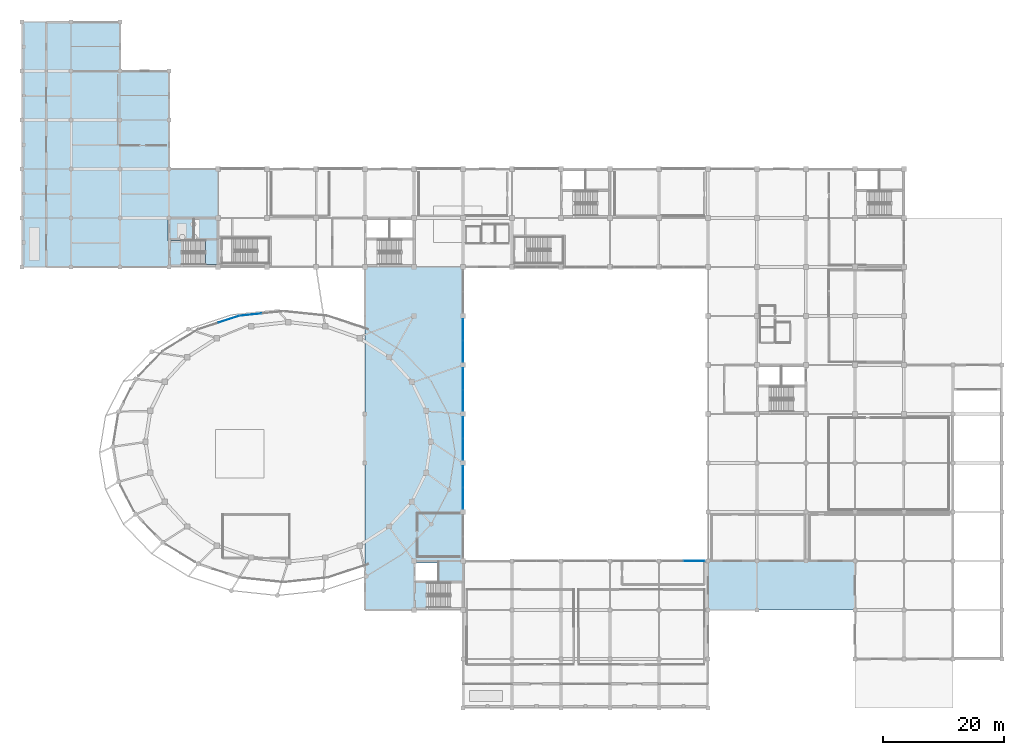
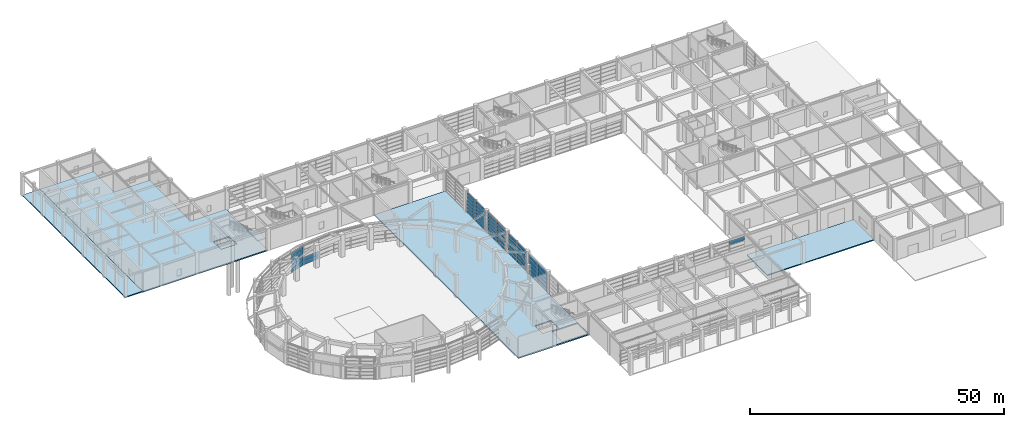
# One storey, part 31 of 52: 54 plates, 6 slabs, 8 elements without a shape of their own.
"""IFC4 building model written with IfcOpenShell, lengths in metres."""

from ifc_helpers import new_model, si_unit, direction, frame, origin, origin_2d, place, context, subcontext, project, spatial, polyline, rectangle, outline, extrude, material, layer, layer_set, type_object, element, aggregate, save


model = new_model("IFC4")

# Units and contexts
model_context = context("Model", 3, precision=1e-05, world=origin(), true_north=direction((0.0, 1.0)))
body_context = subcontext(model_context, "Body", "Model", "MODEL_VIEW")
ifc_project = project(units=[si_unit("LENGTHUNIT", "METRE"), si_unit("AREAUNIT", "SQUARE_METRE"), si_unit("VOLUMEUNIT", "CUBIC_METRE"), si_unit("PLANEANGLEUNIT", "RADIAN"), si_unit("MASSUNIT", "GRAM", prefix="KILO")], contexts=[model_context])

# Site, building, storey
site_placement = place(None, origin())
site = spatial("IfcSite", under=ifc_project, at=site_placement, CompositionType="ELEMENT")
building_placement = place(site_placement, origin())
building = spatial("IfcBuilding", under=site, at=building_placement, Name="Parian Resonance Hall", CompositionType="ELEMENT")
storey_placement = place(building_placement, origin())
storey = spatial("IfcBuildingStorey", under=building, at=storey_placement, Name="L00", CompositionType="ELEMENT", Elevation=0.0)

# Curtain wall, plates
ifc_material_1 = material(Name="Bronze-anodised aluminium frame", Category="aluminium")
curtain_wall_type_1 = type_object("IfcCurtainWallType", Name="CW-SYS-01", PredefinedType="NOTDEFINED", material=ifc_material_1)
curtain_wall_1_placement = place(storey_placement, origin())
curtain_wall_1 = element("IfcCurtainWall", 1, at=curtain_wall_1_placement, inside=storey, type_object=curtain_wall_type_1, Name="Grand foyer recessed base curtain wall 07", PredefinedType="NOTDEFINED")
ifc_material_2 = material(Name="Acoustic laminated double glazing", Category="glass")
ifc_layer_1 = layer(ifc_material_2, 0.02197265625)
ifc_layer_set_1 = layer_set([ifc_layer_1], Name="Acoustic laminated double glazing")
plate_type_1 = type_object("IfcPlateType", Name="CWP-IGU22", PredefinedType="CURTAIN_PANEL", material=ifc_layer_set_1)
plate_1_placement = place(storey_placement, frame((37.7421875, 65.029296875, 0.05712890625), z_axis=(0.0, 0.0, 1.0), x_axis=(0.994575935845, 0.104013017637, 0.0)))
plate_1 = element("IfcPlate", 2, at=plate_1_placement, type_object=plate_type_1, Name="CW-01 panel 1.1", PredefinedType="CURTAIN_PANEL", context=body_context, shape_type="SweptSolid", body=[
    extrude(rectangle(XDim=3.57177734375, YDim=0.02197265625, at=origin_2d()), origin(), (0.0, 0.0, 1.0), 0.851806640625),
])
plate_2_placement = place(storey_placement, frame((37.7421875, 65.029296875, 0.973876953125), z_axis=(0.0, 0.0, 1.0), x_axis=(0.994575935845, 0.104013017637, 0.0)))
plate_2 = element("IfcPlate", 3, at=plate_2_placement, type_object=plate_type_1, Name="CW-01 panel 1.2", PredefinedType="CURTAIN_PANEL", context=body_context, shape_type="SweptSolid", body=[
    extrude(rectangle(XDim=3.57177734375, YDim=0.02197265625, at=origin_2d()), origin(), (0.0, 0.0, 1.0), 0.87646484375),
])
aggregate(curtain_wall_1, [plate_1, plate_2])

ifc_material_3 = material(Name="Bronze-anodised aluminium frame", Category="aluminium")
curtain_wall_type_2 = type_object("IfcCurtainWallType", Name="CW-SYS-06", PredefinedType="NOTDEFINED", material=ifc_material_3)
curtain_wall_2_placement = place(storey_placement, origin())
curtain_wall_2 = element("IfcCurtainWall", 4, at=curtain_wall_2_placement, inside=storey, type_object=curtain_wall_type_2, Name="Curtain wall CW-L00-138", PredefinedType="NOTDEFINED")
plate_3_placement = place(storey_placement, frame((72.89990234375, 46.316162109375, 0.06689453125), z_axis=(0.0, 0.0, 1.0), x_axis=(0.0, -1.0, 0.0)))
plate_3 = element("IfcPlate", 5, at=plate_3_placement, type_object=plate_type_1, Name="CW-06 panel 1.1", PredefinedType="CURTAIN_PANEL", context=body_context, shape_type="SweptSolid", body=[
    extrude(rectangle(XDim=3.45751953125, YDim=0.02197265625, at=origin_2d()), origin(), (0.0, 0.0, 1.0), 0.7373046875),
])
plate_4_placement = place(storey_placement, frame((72.89990234375, 46.316162109375, 0.879150390625), z_axis=(0.0, 0.0, 1.0), x_axis=(0.0, -1.0, 0.0)))
plate_4 = element("IfcPlate", 6, at=plate_4_placement, type_object=plate_type_1, Name="CW-06 panel 1.2", PredefinedType="CURTAIN_PANEL", context=body_context, shape_type="SweptSolid", body=[
    extrude(rectangle(XDim=3.45751953125, YDim=0.02197265625, at=origin_2d()), origin(), (0.0, 0.0, 1.0), 0.7666015625),
])
plate_5_placement = place(storey_placement, frame((72.89990234375, 46.316162109375, 1.720947265625), z_axis=(0.0, 0.0, 1.0), x_axis=(0.0, -1.0, 0.0)))
plate_5 = element("IfcPlate", 7, at=plate_5_placement, type_object=plate_type_1, Name="CW-06 panel 1.3", PredefinedType="CURTAIN_PANEL", context=body_context, shape_type="SweptSolid", body=[
    extrude(rectangle(XDim=3.45751953125, YDim=0.02197265625, at=origin_2d()), origin(), (0.0, 0.0, 1.0), 0.7666015625),
])
plate_6_placement = place(storey_placement, frame((72.89990234375, 46.316162109375, 2.5625), z_axis=(0.0, 0.0, 1.0), x_axis=(0.0, -1.0, 0.0)))
plate_6 = element("IfcPlate", 8, at=plate_6_placement, type_object=plate_type_1, Name="CW-06 panel 1.4", PredefinedType="CURTAIN_PANEL", context=body_context, shape_type="SweptSolid", body=[
    extrude(rectangle(XDim=3.45751953125, YDim=0.02197265625, at=origin_2d()), origin(), (0.0, 0.0, 1.0), 0.7666015625),
])
plate_7_placement = place(storey_placement, frame((72.89990234375, 46.316162109375, 3.404296875), z_axis=(0.0, 0.0, 1.0), x_axis=(0.0, -1.0, 0.0)))
plate_7 = element("IfcPlate", 9, at=plate_7_placement, type_object=plate_type_1, Name="CW-06 panel 1.5", PredefinedType="CURTAIN_PANEL", context=body_context, shape_type="SweptSolid", body=[
    extrude(rectangle(XDim=3.45751953125, YDim=0.02197265625, at=origin_2d()), origin(), (0.0, 0.0, 1.0), 0.7666015625),
])
plate_8_placement = place(storey_placement, frame((72.89990234375, 46.316162109375, 4.245849609375), z_axis=(0.0, 0.0, 1.0), x_axis=(0.0, -1.0, 0.0)))
plate_8 = element("IfcPlate", 10, at=plate_8_placement, type_object=plate_type_1, Name="CW-06 panel 1.6", PredefinedType="CURTAIN_PANEL", context=body_context, shape_type="SweptSolid", body=[
    extrude(rectangle(XDim=3.45751953125, YDim=0.02197265625, at=origin_2d()), origin(), (0.0, 0.0, 1.0), 0.7392578125),
])
plate_9_placement = place(storey_placement, frame((72.89990234375, 42.78369140625, 0.06689453125), z_axis=(0.0, 0.0, 1.0), x_axis=(0.0, -1.0, 0.0)))
plate_9 = element("IfcPlate", 11, at=plate_9_placement, type_object=plate_type_1, Name="CW-06 panel 2.1", PredefinedType="CURTAIN_PANEL", context=body_context, shape_type="SweptSolid", body=[
    extrude(rectangle(XDim=3.45751953125, YDim=0.02197265625, at=origin_2d()), origin(), (0.0, 0.0, 1.0), 0.7373046875),
])
plate_10_placement = place(storey_placement, frame((72.89990234375, 42.78369140625, 0.879150390625), z_axis=(0.0, 0.0, 1.0), x_axis=(0.0, -1.0, 0.0)))
plate_10 = element("IfcPlate", 12, at=plate_10_placement, type_object=plate_type_1, Name="CW-06 panel 2.2", PredefinedType="CURTAIN_PANEL", context=body_context, shape_type="SweptSolid", body=[
    extrude(rectangle(XDim=3.45751953125, YDim=0.02197265625, at=origin_2d()), origin(), (0.0, 0.0, 1.0), 0.7666015625),
])
plate_11_placement = place(storey_placement, frame((72.89990234375, 42.78369140625, 1.720947265625), z_axis=(0.0, 0.0, 1.0), x_axis=(0.0, -1.0, 0.0)))
plate_11 = element("IfcPlate", 13, at=plate_11_placement, type_object=plate_type_1, Name="CW-06 panel 2.3", PredefinedType="CURTAIN_PANEL", context=body_context, shape_type="SweptSolid", body=[
    extrude(rectangle(XDim=3.45751953125, YDim=0.02197265625, at=origin_2d()), origin(), (0.0, 0.0, 1.0), 0.7666015625),
])
plate_12_placement = place(storey_placement, frame((72.89990234375, 42.78369140625, 2.5625), z_axis=(0.0, 0.0, 1.0), x_axis=(0.0, -1.0, 0.0)))
plate_12 = element("IfcPlate", 14, at=plate_12_placement, type_object=plate_type_1, Name="CW-06 panel 2.4", PredefinedType="CURTAIN_PANEL", context=body_context, shape_type="SweptSolid", body=[
    extrude(rectangle(XDim=3.45751953125, YDim=0.02197265625, at=origin_2d()), origin(), (0.0, 0.0, 1.0), 0.7666015625),
])
plate_13_placement = place(storey_placement, frame((72.89990234375, 42.78369140625, 3.404296875), z_axis=(0.0, 0.0, 1.0), x_axis=(0.0, -1.0, 0.0)))
plate_13 = element("IfcPlate", 15, at=plate_13_placement, type_object=plate_type_1, Name="CW-06 panel 2.5", PredefinedType="CURTAIN_PANEL", context=body_context, shape_type="SweptSolid", body=[
    extrude(rectangle(XDim=3.45751953125, YDim=0.02197265625, at=origin_2d()), origin(), (0.0, 0.0, 1.0), 0.7666015625),
])
plate_14_placement = place(storey_placement, frame((72.89990234375, 42.78369140625, 4.245849609375), z_axis=(0.0, 0.0, 1.0), x_axis=(0.0, -1.0, 0.0)))
plate_14 = element("IfcPlate", 16, at=plate_14_placement, type_object=plate_type_1, Name="CW-06 panel 2.6", PredefinedType="CURTAIN_PANEL", context=body_context, shape_type="SweptSolid", body=[
    extrude(rectangle(XDim=3.45751953125, YDim=0.02197265625, at=origin_2d()), origin(), (0.0, 0.0, 1.0), 0.7392578125),
])
aggregate(curtain_wall_2, [plate_3, plate_4, plate_5, plate_6, plate_7, plate_8, plate_9, plate_10, plate_11, plate_12, plate_13, plate_14])

ifc_material_4 = material(Name="Bronze-anodised aluminium frame", Category="aluminium")
curtain_wall_type_3 = type_object("IfcCurtainWallType", Name="CW-SYS-02", PredefinedType="NOTDEFINED", material=ifc_material_4)
curtain_wall_3_placement = place(storey_placement, origin())
curtain_wall_3 = element("IfcCurtainWall", 17, at=curtain_wall_3_placement, inside=storey, type_object=curtain_wall_type_3, Name="Grand foyer recessed base curtain wall 08", PredefinedType="NOTDEFINED")
ifc_material_5 = material(Name="Acoustic laminated double glazing", Category="glass")
ifc_layer_2 = layer(ifc_material_5, 0.031982421875)
ifc_layer_set_2 = layer_set([ifc_layer_2], Name="Acoustic laminated double glazing")
plate_type_2 = type_object("IfcPlateType", Name="CWP-IGU32", PredefinedType="CURTAIN_PANEL", material=ifc_layer_set_2)
plate_15_placement = place(storey_placement, frame((34.18310546875, 64.271484375, 0.06689453125), z_axis=(0.0, 0.0, 1.0), x_axis=(0.94990795108, 0.312529813739, 0.0)))
plate_15 = element("IfcPlate", 18, at=plate_15_placement, type_object=plate_type_2, Name="CW-02 panel 2.1", PredefinedType="CURTAIN_PANEL", context=body_context, shape_type="SweptSolid", body=[
    extrude(rectangle(XDim=3.467529296875, YDim=0.031982421875, at=origin_2d()), origin(), (0.0, 0.0, 1.0), 0.8369140625),
])
plate_16_placement = place(storey_placement, frame((34.18310546875, 64.271484375, 0.97900390625), z_axis=(0.0, 0.0, 1.0), x_axis=(0.94990795108, 0.312529813739, 0.0)))
plate_16 = element("IfcPlate", 19, at=plate_16_placement, type_object=plate_type_2, Name="CW-02 panel 2.2", PredefinedType="CURTAIN_PANEL", context=body_context, shape_type="SweptSolid", body=[
    extrude(rectangle(XDim=3.467529296875, YDim=0.031982421875, at=origin_2d()), origin(), (0.0, 0.0, 1.0), 0.866455078125),
])
plate_17_placement = place(storey_placement, frame((34.18310546875, 64.271484375, 1.92041015625), z_axis=(0.0, 0.0, 1.0), x_axis=(0.94990795108, 0.312529813739, 0.0)))
plate_17 = element("IfcPlate", 20, at=plate_17_placement, type_object=plate_type_2, Name="CW-02 panel 2.3", PredefinedType="CURTAIN_PANEL", context=body_context, shape_type="SweptSolid", body=[
    extrude(rectangle(XDim=3.467529296875, YDim=0.031982421875, at=origin_2d()), origin(), (0.0, 0.0, 1.0), 0.866455078125),
])
plate_18_placement = place(storey_placement, frame((34.18310546875, 64.271484375, 2.86181640625), z_axis=(0.0, 0.0, 1.0), x_axis=(0.94990795108, 0.312529813739, 0.0)))
plate_18 = element("IfcPlate", 21, at=plate_18_placement, type_object=plate_type_2, Name="CW-02 panel 2.4", PredefinedType="CURTAIN_PANEL", context=body_context, shape_type="SweptSolid", body=[
    extrude(rectangle(XDim=3.467529296875, YDim=0.031982421875, at=origin_2d()), origin(), (0.0, 0.0, 1.0), 0.866455078125),
])
plate_19_placement = place(storey_placement, frame((34.18310546875, 64.271484375, 3.80322265625), z_axis=(0.0, 0.0, 1.0), x_axis=(0.94990795108, 0.312529813739, 0.0)))
plate_19 = element("IfcPlate", 22, at=plate_19_placement, type_object=plate_type_2, Name="CW-02 panel 2.5", PredefinedType="CURTAIN_PANEL", context=body_context, shape_type="SweptSolid", body=[
    extrude(rectangle(XDim=3.467529296875, YDim=0.031982421875, at=origin_2d()), origin(), (0.0, 0.0, 1.0), 0.8388671875),
])
aggregate(curtain_wall_3, [plate_15, plate_16, plate_17, plate_18, plate_19])

# Curtain wall, plate
ifc_material_6 = material(Name="Bronze-anodised aluminium frame", Category="aluminium")
curtain_wall_type_4 = type_object("IfcCurtainWallType", Name="CW-SYS-03", PredefinedType="NOTDEFINED", material=ifc_material_6)
curtain_wall_4_placement = place(storey_placement, origin())
curtain_wall_4 = element("IfcCurtainWall", 23, at=curtain_wall_4_placement, inside=storey, type_object=curtain_wall_type_4, Name="Curtain wall CW-L00-127", PredefinedType="NOTDEFINED")
plate_20_placement = place(storey_placement, frame((111.143798828125, 24.300048828125, 3.732666015625), z_axis=(0.0, 0.0, 1.0), x_axis=(1.0, 0.0, 0.0)))
plate_20 = element("IfcPlate", 24, at=plate_20_placement, type_object=plate_type_2, Name="CW-03 panel 2.5", PredefinedType="CURTAIN_PANEL", context=body_context, shape_type="SweptSolid", body=[
    extrude(rectangle(XDim=3.5224609375, YDim=0.031982421875, at=origin_2d()), origin(), (0.0, 0.0, 1.0), 0.83740234375),
])
aggregate(curtain_wall_4, [plate_20])

# Curtain wall, plates
curtain_wall_5_placement = place(storey_placement, origin())
curtain_wall_5 = element("IfcCurtainWall", 25, at=curtain_wall_5_placement, inside=storey, type_object=curtain_wall_type_1, Name="Curtain wall CW-L00-139", PredefinedType="NOTDEFINED")
plate_21_placement = place(storey_placement, frame((72.89990234375, 54.418701171875, 0.05712890625), z_axis=(0.0, 0.0, 1.0), x_axis=(0.0, -1.0, 0.0)))
plate_21 = element("IfcPlate", 26, at=plate_21_placement, type_object=plate_type_2, Name="CW-01 panel 1.1", PredefinedType="CURTAIN_PANEL", context=body_context, shape_type="SweptSolid", body=[
    extrude(rectangle(XDim=3.472412109375, YDim=0.031982421875, at=origin_2d()), origin(), (0.0, 0.0, 1.0), 0.752197265625),
])
plate_22_placement = place(storey_placement, frame((72.89990234375, 54.418701171875, 0.8740234375), z_axis=(0.0, 0.0, 1.0), x_axis=(0.0, -1.0, 0.0)))
plate_22 = element("IfcPlate", 27, at=plate_22_placement, type_object=plate_type_2, Name="CW-01 panel 1.2", PredefinedType="CURTAIN_PANEL", context=body_context, shape_type="SweptSolid", body=[
    extrude(rectangle(XDim=3.472412109375, YDim=0.031982421875, at=origin_2d()), origin(), (0.0, 0.0, 1.0), 0.776611328125),
])
plate_23_placement = place(storey_placement, frame((72.89990234375, 54.418701171875, 1.7158203125), z_axis=(0.0, 0.0, 1.0), x_axis=(0.0, -1.0, 0.0)))
plate_23 = element("IfcPlate", 28, at=plate_23_placement, type_object=plate_type_2, Name="CW-01 panel 1.3", PredefinedType="CURTAIN_PANEL", context=body_context, shape_type="SweptSolid", body=[
    extrude(rectangle(XDim=3.472412109375, YDim=0.031982421875, at=origin_2d()), origin(), (0.0, 0.0, 1.0), 0.776611328125),
])
plate_24_placement = place(storey_placement, frame((72.89990234375, 54.418701171875, 2.5576171875), z_axis=(0.0, 0.0, 1.0), x_axis=(0.0, -1.0, 0.0)))
plate_24 = element("IfcPlate", 29, at=plate_24_placement, type_object=plate_type_2, Name="CW-01 panel 1.4", PredefinedType="CURTAIN_PANEL", context=body_context, shape_type="SweptSolid", body=[
    extrude(rectangle(XDim=3.472412109375, YDim=0.031982421875, at=origin_2d()), origin(), (0.0, 0.0, 1.0), 0.776611328125),
])
plate_25_placement = place(storey_placement, frame((72.89990234375, 54.418701171875, 3.3994140625), z_axis=(0.0, 0.0, 1.0), x_axis=(0.0, -1.0, 0.0)))
plate_25 = element("IfcPlate", 30, at=plate_25_placement, type_object=plate_type_2, Name="CW-01 panel 1.5", PredefinedType="CURTAIN_PANEL", context=body_context, shape_type="SweptSolid", body=[
    extrude(rectangle(XDim=3.472412109375, YDim=0.031982421875, at=origin_2d()), origin(), (0.0, 0.0, 1.0), 0.776611328125),
])
plate_26_placement = place(storey_placement, frame((72.89990234375, 54.418701171875, 4.24072265625), z_axis=(0.0, 0.0, 1.0), x_axis=(0.0, -1.0, 0.0)))
plate_26 = element("IfcPlate", 31, at=plate_26_placement, type_object=plate_type_2, Name="CW-01 panel 1.6", PredefinedType="CURTAIN_PANEL", context=body_context, shape_type="SweptSolid", body=[
    extrude(rectangle(XDim=3.472412109375, YDim=0.031982421875, at=origin_2d()), origin(), (0.0, 0.0, 1.0), 0.754150390625),
])
plate_27_placement = place(storey_placement, frame((72.89990234375, 50.88134765625, 0.05712890625), z_axis=(0.0, 0.0, 1.0), x_axis=(0.0, -1.0, 0.0)))
plate_27 = element("IfcPlate", 32, at=plate_27_placement, type_object=plate_type_2, Name="CW-01 panel 2.1", PredefinedType="CURTAIN_PANEL", context=body_context, shape_type="SweptSolid", body=[
    extrude(rectangle(XDim=3.472412109375, YDim=0.031982421875, at=origin_2d()), origin(), (0.0, 0.0, 1.0), 0.752197265625),
])
plate_28_placement = place(storey_placement, frame((72.89990234375, 50.88134765625, 0.8740234375), z_axis=(0.0, 0.0, 1.0), x_axis=(0.0, -1.0, 0.0)))
plate_28 = element("IfcPlate", 33, at=plate_28_placement, type_object=plate_type_2, Name="CW-01 panel 2.2", PredefinedType="CURTAIN_PANEL", context=body_context, shape_type="SweptSolid", body=[
    extrude(rectangle(XDim=3.472412109375, YDim=0.031982421875, at=origin_2d()), origin(), (0.0, 0.0, 1.0), 0.776611328125),
])
plate_29_placement = place(storey_placement, frame((72.89990234375, 50.88134765625, 1.7158203125), z_axis=(0.0, 0.0, 1.0), x_axis=(0.0, -1.0, 0.0)))
plate_29 = element("IfcPlate", 34, at=plate_29_placement, type_object=plate_type_2, Name="CW-01 panel 2.3", PredefinedType="CURTAIN_PANEL", context=body_context, shape_type="SweptSolid", body=[
    extrude(rectangle(XDim=3.472412109375, YDim=0.031982421875, at=origin_2d()), origin(), (0.0, 0.0, 1.0), 0.776611328125),
])
plate_30_placement = place(storey_placement, frame((72.89990234375, 50.88134765625, 2.5576171875), z_axis=(0.0, 0.0, 1.0), x_axis=(0.0, -1.0, 0.0)))
plate_30 = element("IfcPlate", 35, at=plate_30_placement, type_object=plate_type_2, Name="CW-01 panel 2.4", PredefinedType="CURTAIN_PANEL", context=body_context, shape_type="SweptSolid", body=[
    extrude(rectangle(XDim=3.472412109375, YDim=0.031982421875, at=origin_2d()), origin(), (0.0, 0.0, 1.0), 0.776611328125),
])
plate_31_placement = place(storey_placement, frame((72.89990234375, 50.88134765625, 3.3994140625), z_axis=(0.0, 0.0, 1.0), x_axis=(0.0, -1.0, 0.0)))
plate_31 = element("IfcPlate", 36, at=plate_31_placement, type_object=plate_type_2, Name="CW-01 panel 2.5", PredefinedType="CURTAIN_PANEL", context=body_context, shape_type="SweptSolid", body=[
    extrude(rectangle(XDim=3.472412109375, YDim=0.031982421875, at=origin_2d()), origin(), (0.0, 0.0, 1.0), 0.776611328125),
])
plate_32_placement = place(storey_placement, frame((72.89990234375, 50.88134765625, 4.24072265625), z_axis=(0.0, 0.0, 1.0), x_axis=(0.0, -1.0, 0.0)))
plate_32 = element("IfcPlate", 37, at=plate_32_placement, type_object=plate_type_2, Name="CW-01 panel 2.6", PredefinedType="CURTAIN_PANEL", context=body_context, shape_type="SweptSolid", body=[
    extrude(rectangle(XDim=3.472412109375, YDim=0.031982421875, at=origin_2d()), origin(), (0.0, 0.0, 1.0), 0.754150390625),
])
aggregate(curtain_wall_5, [plate_21, plate_22, plate_23, plate_24, plate_25, plate_26, plate_27, plate_28, plate_29, plate_30, plate_31, plate_32])

ifc_material_7 = material(Name="Bronze-anodised aluminium frame", Category="aluminium")
curtain_wall_type_5 = type_object("IfcCurtainWallType", Name="CW-SYS-05", PredefinedType="NOTDEFINED", material=ifc_material_7)
curtain_wall_6_placement = place(storey_placement, origin())
curtain_wall_6 = element("IfcCurtainWall", 38, at=curtain_wall_6_placement, inside=storey, type_object=curtain_wall_type_5, Name="Curtain wall CW-L00-134", PredefinedType="NOTDEFINED")
ifc_material_8 = material(Name="Acoustic laminated double glazing", Category="glass")
ifc_layer_3 = layer(ifc_material_8, 0.0419921875)
ifc_layer_set_3 = layer_set([ifc_layer_3], Name="Acoustic laminated double glazing")
plate_type_3 = type_object("IfcPlateType", Name="CWP-IGU42", PredefinedType="CURTAIN_PANEL", material=ifc_layer_set_3)
plate_33_placement = place(storey_placement, frame((72.89990234375, 38.21630859375, 0.06689453125), z_axis=(0.0, 0.0, 1.0), x_axis=(0.0, -1.0, 0.0)))
plate_33 = element("IfcPlate", 39, at=plate_33_placement, type_object=plate_type_3, Name="CW-05 panel 1.1", PredefinedType="CURTAIN_PANEL", context=body_context, shape_type="SweptSolid", body=[
    extrude(rectangle(XDim=3.45751953125, YDim=0.0419921875, at=origin_2d()), origin(), (0.0, 0.0, 1.0), 0.848876953125),
])
plate_34_placement = place(storey_placement, frame((72.89990234375, 38.21630859375, 0.990966796875), z_axis=(0.0, 0.0, 1.0), x_axis=(0.0, -1.0, 0.0)))
plate_34 = element("IfcPlate", 40, at=plate_34_placement, type_object=plate_type_3, Name="CW-05 panel 1.2", PredefinedType="CURTAIN_PANEL", context=body_context, shape_type="SweptSolid", body=[
    extrude(rectangle(XDim=3.45751953125, YDim=0.0419921875, at=origin_2d()), origin(), (0.0, 0.0, 1.0), 0.87841796875),
])
plate_35_placement = place(storey_placement, frame((72.89990234375, 38.21630859375, 1.9443359375), z_axis=(0.0, 0.0, 1.0), x_axis=(0.0, -1.0, 0.0)))
plate_35 = element("IfcPlate", 41, at=plate_35_placement, type_object=plate_type_3, Name="CW-05 panel 1.3", PredefinedType="CURTAIN_PANEL", context=body_context, shape_type="SweptSolid", body=[
    extrude(rectangle(XDim=3.45751953125, YDim=0.0419921875, at=origin_2d()), origin(), (0.0, 0.0, 1.0), 0.87841796875),
])
plate_36_placement = place(storey_placement, frame((72.89990234375, 38.21630859375, 2.897705078125), z_axis=(0.0, 0.0, 1.0), x_axis=(0.0, -1.0, 0.0)))
plate_36 = element("IfcPlate", 42, at=plate_36_placement, type_object=plate_type_3, Name="CW-05 panel 1.4", PredefinedType="CURTAIN_PANEL", context=body_context, shape_type="SweptSolid", body=[
    extrude(rectangle(XDim=3.45751953125, YDim=0.0419921875, at=origin_2d()), origin(), (0.0, 0.0, 1.0), 0.87841796875),
])
plate_37_placement = place(storey_placement, frame((72.89990234375, 38.21630859375, 3.85107421875), z_axis=(0.0, 0.0, 1.0), x_axis=(0.0, -1.0, 0.0)))
plate_37 = element("IfcPlate", 43, at=plate_37_placement, type_object=plate_type_3, Name="CW-05 panel 1.5", PredefinedType="CURTAIN_PANEL", context=body_context, shape_type="SweptSolid", body=[
    extrude(rectangle(XDim=3.45751953125, YDim=0.0419921875, at=origin_2d()), origin(), (0.0, 0.0, 1.0), 0.850830078125),
])
plate_38_placement = place(storey_placement, frame((72.89990234375, 34.683837890625, 0.06689453125), z_axis=(0.0, 0.0, 1.0), x_axis=(0.0, -1.0, 0.0)))
plate_38 = element("IfcPlate", 44, at=plate_38_placement, type_object=plate_type_3, Name="CW-05 panel 2.1", PredefinedType="CURTAIN_PANEL", context=body_context, shape_type="SweptSolid", body=[
    extrude(rectangle(XDim=3.45751953125, YDim=0.0419921875, at=origin_2d()), origin(), (0.0, 0.0, 1.0), 0.848876953125),
])
plate_39_placement = place(storey_placement, frame((72.89990234375, 34.683837890625, 0.990966796875), z_axis=(0.0, 0.0, 1.0), x_axis=(0.0, -1.0, 0.0)))
plate_39 = element("IfcPlate", 45, at=plate_39_placement, type_object=plate_type_3, Name="CW-05 panel 2.2", PredefinedType="CURTAIN_PANEL", context=body_context, shape_type="SweptSolid", body=[
    extrude(rectangle(XDim=3.45751953125, YDim=0.0419921875, at=origin_2d()), origin(), (0.0, 0.0, 1.0), 0.87841796875),
])
plate_40_placement = place(storey_placement, frame((72.89990234375, 34.683837890625, 1.9443359375), z_axis=(0.0, 0.0, 1.0), x_axis=(0.0, -1.0, 0.0)))
plate_40 = element("IfcPlate", 46, at=plate_40_placement, type_object=plate_type_3, Name="CW-05 panel 2.3", PredefinedType="CURTAIN_PANEL", context=body_context, shape_type="SweptSolid", body=[
    extrude(rectangle(XDim=3.45751953125, YDim=0.0419921875, at=origin_2d()), origin(), (0.0, 0.0, 1.0), 0.87841796875),
])
plate_41_placement = place(storey_placement, frame((72.89990234375, 34.683837890625, 2.897705078125), z_axis=(0.0, 0.0, 1.0), x_axis=(0.0, -1.0, 0.0)))
plate_41 = element("IfcPlate", 47, at=plate_41_placement, type_object=plate_type_3, Name="CW-05 panel 2.4", PredefinedType="CURTAIN_PANEL", context=body_context, shape_type="SweptSolid", body=[
    extrude(rectangle(XDim=3.45751953125, YDim=0.0419921875, at=origin_2d()), origin(), (0.0, 0.0, 1.0), 0.87841796875),
])
plate_42_placement = place(storey_placement, frame((72.89990234375, 34.683837890625, 3.85107421875), z_axis=(0.0, 0.0, 1.0), x_axis=(0.0, -1.0, 0.0)))
plate_42 = element("IfcPlate", 48, at=plate_42_placement, type_object=plate_type_3, Name="CW-05 panel 2.5", PredefinedType="CURTAIN_PANEL", context=body_context, shape_type="SweptSolid", body=[
    extrude(rectangle(XDim=3.45751953125, YDim=0.0419921875, at=origin_2d()), origin(), (0.0, 0.0, 1.0), 0.850830078125),
])
aggregate(curtain_wall_6, [plate_33, plate_34, plate_35, plate_36, plate_37, plate_38, plate_39, plate_40, plate_41, plate_42])

curtain_wall_7_placement = place(storey_placement, origin())
curtain_wall_7 = element("IfcCurtainWall", 49, at=curtain_wall_7_placement, inside=storey, type_object=curtain_wall_type_3, Name="Curtain wall CW-L00-140", PredefinedType="NOTDEFINED")
plate_43_placement = place(storey_placement, frame((72.89990234375, 62.516357421875, 0.06689453125), z_axis=(0.0, 0.0, 1.0), x_axis=(0.0, -1.0, 0.0)))
plate_43 = element("IfcPlate", 50, at=plate_43_placement, type_object=plate_type_3, Name="CW-02 panel 1.1", PredefinedType="CURTAIN_PANEL", context=body_context, shape_type="SweptSolid", body=[
    extrude(rectangle(XDim=3.45751953125, YDim=0.0419921875, at=origin_2d()), origin(), (0.0, 0.0, 1.0), 0.7373046875),
])
plate_44_placement = place(storey_placement, frame((72.89990234375, 62.516357421875, 0.879150390625), z_axis=(0.0, 0.0, 1.0), x_axis=(0.0, -1.0, 0.0)))
plate_44 = element("IfcPlate", 51, at=plate_44_placement, type_object=plate_type_3, Name="CW-02 panel 1.2", PredefinedType="CURTAIN_PANEL", context=body_context, shape_type="SweptSolid", body=[
    extrude(rectangle(XDim=3.45751953125, YDim=0.0419921875, at=origin_2d()), origin(), (0.0, 0.0, 1.0), 0.7666015625),
])
plate_45_placement = place(storey_placement, frame((72.89990234375, 62.516357421875, 1.720947265625), z_axis=(0.0, 0.0, 1.0), x_axis=(0.0, -1.0, 0.0)))
plate_45 = element("IfcPlate", 52, at=plate_45_placement, type_object=plate_type_3, Name="CW-02 panel 1.3", PredefinedType="CURTAIN_PANEL", context=body_context, shape_type="SweptSolid", body=[
    extrude(rectangle(XDim=3.45751953125, YDim=0.0419921875, at=origin_2d()), origin(), (0.0, 0.0, 1.0), 0.7666015625),
])
plate_46_placement = place(storey_placement, frame((72.89990234375, 62.516357421875, 2.5625), z_axis=(0.0, 0.0, 1.0), x_axis=(0.0, -1.0, 0.0)))
plate_46 = element("IfcPlate", 53, at=plate_46_placement, type_object=plate_type_3, Name="CW-02 panel 1.4", PredefinedType="CURTAIN_PANEL", context=body_context, shape_type="SweptSolid", body=[
    extrude(rectangle(XDim=3.45751953125, YDim=0.0419921875, at=origin_2d()), origin(), (0.0, 0.0, 1.0), 0.7666015625),
])
plate_47_placement = place(storey_placement, frame((72.89990234375, 62.516357421875, 3.404296875), z_axis=(0.0, 0.0, 1.0), x_axis=(0.0, -1.0, 0.0)))
plate_47 = element("IfcPlate", 54, at=plate_47_placement, type_object=plate_type_3, Name="CW-02 panel 1.5", PredefinedType="CURTAIN_PANEL", context=body_context, shape_type="SweptSolid", body=[
    extrude(rectangle(XDim=3.45751953125, YDim=0.0419921875, at=origin_2d()), origin(), (0.0, 0.0, 1.0), 0.7666015625),
])
plate_48_placement = place(storey_placement, frame((72.89990234375, 62.516357421875, 4.245849609375), z_axis=(0.0, 0.0, 1.0), x_axis=(0.0, -1.0, 0.0)))
plate_48 = element("IfcPlate", 55, at=plate_48_placement, type_object=plate_type_3, Name="CW-02 panel 1.6", PredefinedType="CURTAIN_PANEL", context=body_context, shape_type="SweptSolid", body=[
    extrude(rectangle(XDim=3.45751953125, YDim=0.0419921875, at=origin_2d()), origin(), (0.0, 0.0, 1.0), 0.7392578125),
])
plate_49_placement = place(storey_placement, frame((72.89990234375, 58.983642578125, 0.06689453125), z_axis=(0.0, 0.0, 1.0), x_axis=(0.0, -1.0, 0.0)))
plate_49 = element("IfcPlate", 56, at=plate_49_placement, type_object=plate_type_3, Name="CW-02 panel 2.1", PredefinedType="CURTAIN_PANEL", context=body_context, shape_type="SweptSolid", body=[
    extrude(rectangle(XDim=3.45751953125, YDim=0.0419921875, at=origin_2d()), origin(), (0.0, 0.0, 1.0), 0.7373046875),
])
plate_50_placement = place(storey_placement, frame((72.89990234375, 58.983642578125, 0.879150390625), z_axis=(0.0, 0.0, 1.0), x_axis=(0.0, -1.0, 0.0)))
plate_50 = element("IfcPlate", 57, at=plate_50_placement, type_object=plate_type_3, Name="CW-02 panel 2.2", PredefinedType="CURTAIN_PANEL", context=body_context, shape_type="SweptSolid", body=[
    extrude(rectangle(XDim=3.45751953125, YDim=0.0419921875, at=origin_2d()), origin(), (0.0, 0.0, 1.0), 0.7666015625),
])
plate_51_placement = place(storey_placement, frame((72.89990234375, 58.983642578125, 1.720947265625), z_axis=(0.0, 0.0, 1.0), x_axis=(0.0, -1.0, 0.0)))
plate_51 = element("IfcPlate", 58, at=plate_51_placement, type_object=plate_type_3, Name="CW-02 panel 2.3", PredefinedType="CURTAIN_PANEL", context=body_context, shape_type="SweptSolid", body=[
    extrude(rectangle(XDim=3.45751953125, YDim=0.0419921875, at=origin_2d()), origin(), (0.0, 0.0, 1.0), 0.7666015625),
])
plate_52_placement = place(storey_placement, frame((72.89990234375, 58.983642578125, 2.5625), z_axis=(0.0, 0.0, 1.0), x_axis=(0.0, -1.0, 0.0)))
plate_52 = element("IfcPlate", 59, at=plate_52_placement, type_object=plate_type_3, Name="CW-02 panel 2.4", PredefinedType="CURTAIN_PANEL", context=body_context, shape_type="SweptSolid", body=[
    extrude(rectangle(XDim=3.45751953125, YDim=0.0419921875, at=origin_2d()), origin(), (0.0, 0.0, 1.0), 0.7666015625),
])
plate_53_placement = place(storey_placement, frame((72.89990234375, 58.983642578125, 3.404296875), z_axis=(0.0, 0.0, 1.0), x_axis=(0.0, -1.0, 0.0)))
plate_53 = element("IfcPlate", 60, at=plate_53_placement, type_object=plate_type_3, Name="CW-02 panel 2.5", PredefinedType="CURTAIN_PANEL", context=body_context, shape_type="SweptSolid", body=[
    extrude(rectangle(XDim=3.45751953125, YDim=0.0419921875, at=origin_2d()), origin(), (0.0, 0.0, 1.0), 0.7666015625),
])
plate_54_placement = place(storey_placement, frame((72.89990234375, 58.983642578125, 4.245849609375), z_axis=(0.0, 0.0, 1.0), x_axis=(0.0, -1.0, 0.0)))
plate_54 = element("IfcPlate", 61, at=plate_54_placement, type_object=plate_type_3, Name="CW-02 panel 2.6", PredefinedType="CURTAIN_PANEL", context=body_context, shape_type="SweptSolid", body=[
    extrude(rectangle(XDim=3.45751953125, YDim=0.0419921875, at=origin_2d()), origin(), (0.0, 0.0, 1.0), 0.7392578125),
])
aggregate(curtain_wall_7, [plate_43, plate_44, plate_45, plate_46, plate_47, plate_48, plate_49, plate_50, plate_51, plate_52, plate_53, plate_54])

# Slabs
ifc_material_9 = material(Name="Concrete C35/45", Category="concrete")
ifc_layer_4 = layer(ifc_material_9, 0.22998046875)
ifc_layer_set_4 = layer_set([ifc_layer_4], Name="Concrete C35/45")
slab_type_1 = type_object("IfcSlabType", Name="SLB-ARC-230", PredefinedType="FLOOR", material=ifc_layer_set_4)
slab_1_placement = place(storey_placement, frame((0.0, 0.0, -0.22998046875)))
element("IfcSlab", 62, at=slab_1_placement, inside=storey, type_object=slab_type_1, Name="West avenue colonnade pavement slab", PredefinedType="FLOOR", context=body_context, shape_type="SweptSolid", body=[
    extrude(outline(polyline([(0.0, 72.89990234375), (4.0, 72.89990234375), (4.0, 113.39990234375), (0.0, 113.39990234375), (0.0, 72.89990234375)])), origin(), (0.0, 0.0, 1.0), 0.22998046875),
])
slab_2_placement = place(storey_placement, frame((0.0, 0.0, -0.22998046875)))
element("IfcSlab", 63, at=slab_2_placement, inside=storey, type_object=slab_type_1, Name="South acoustic loading dock truck apron slab", PredefinedType="FLOOR", context=body_context, shape_type="SweptSolid", body=[
    extrude(outline(polyline([(113.39990234375, 16.199951171875), (137.699951171875, 16.199951171875), (137.699951171875, 24.300048828125), (113.39990234375, 24.300048828125), (113.39990234375, 16.199951171875)])), origin(), (0.0, 0.0, 1.0), 0.22998046875),
])
ifc_material_10 = material(Name="Concrete C35/45", Category="concrete")
ifc_layer_5 = layer(ifc_material_10, 0.300048828125)
ifc_layer_set_5 = layer_set([ifc_layer_5], Name="Concrete C35/45")
slab_type_2 = type_object("IfcSlabType", Name="SLB-FLR-300", PredefinedType="FLOOR", material=ifc_layer_set_5)
slab_3_placement = place(storey_placement, frame((0.0, 0.0, -0.300048828125)))
element("IfcSlab", 64, at=slab_3_placement, inside=storey, type_object=slab_type_2, Name="Ground main hall east spine floor slab", PredefinedType="FLOOR", context=body_context, shape_type="SweptSolid", body=[
    extrude(outline(polyline([(56.699951171875, 16.199951171875), (72.89990234375, 16.199951171875), (72.89990234375, 72.89990234375), (56.699951171875, 72.89990234375), (56.699951171875, 16.199951171875)]), holes=[polyline([(66.9951171875, 20.699951171875), (72.760009765625, 20.699951171875), (72.760009765625, 16.60009765625), (66.9951171875, 16.60009765625), (66.9951171875, 20.699951171875)]), polyline([(65.0400390625, 24.0), (68.699951171875, 24.0), (68.699951171875, 20.949951171875), (65.0400390625, 20.949951171875), (65.0400390625, 24.0)])]), origin(), (0.0, 0.0, 1.0), 0.300048828125),
])
ifc_material_11 = material(Name="Concrete C35/45", Category="concrete")
ifc_layer_6 = layer(ifc_material_11, 0.280029296875)
ifc_layer_set_6 = layer_set([ifc_layer_6], Name="Concrete C35/45")
slab_type_3 = type_object("IfcSlabType", Name="SLB-GND-280", PredefinedType="BASESLAB", material=ifc_layer_set_6)
slab_4_placement = place(storey_placement, frame((0.0, 0.0, -0.280029296875)))
element("IfcSlab", 65, at=slab_4_placement, inside=storey, type_object=slab_type_3, Name="Chamber pavilion ground slab", PredefinedType="BASESLAB", context=body_context, shape_type="SweptSolid", body=[
    extrude(outline(polyline([(32.39990234375, 89.10009765625), (24.300048828125, 89.10009765625), (24.300048828125, 105.300048828125), (16.199951171875, 105.300048828125), (16.199951171875, 113.39990234375), (4.0, 113.39990234375), (4.0, 105.300048828125), (4.0, 72.89990234375), (24.300048828125, 72.89990234375), (32.39990234375, 72.89990234375), (32.39990234375, 89.10009765625)]), holes=[polyline([(24.5400390625, 77.64990234375), (24.5400390625, 80.699951171875), (28.199951171875, 80.699951171875), (28.199951171875, 77.64990234375), (24.5400390625, 77.64990234375)])]), origin(), (0.0, 0.0, 1.0), 0.280029296875),
])

# Stair, slab
ifc_material_12 = material(Name="Concrete C40/50", Category="concrete")
stair_type = type_object("IfcStairType", Name="STAIR-CORE-1800", PredefinedType="HALF_TURN_STAIR", material=ifc_material_12)
stair_placement = place(storey_placement, origin())
stair = element("IfcStair", 66, at=stair_placement, inside=storey, type_object=stair_type, Name="L00 ST-04", PredefinedType="HALF_TURN_STAIR")
ifc_material_13 = material(Name="Concrete C40/50", Category="concrete")
ifc_layer_7 = layer(ifc_material_13, 0.199951171875)
ifc_layer_set_7 = layer_set([ifc_layer_7], Name="Concrete C40/50")
slab_type_4 = type_object("IfcSlabType", Name="SLB-LANDING-200", PredefinedType="LANDING", material=ifc_layer_set_7)
slab_5_placement = place(storey_placement, frame((0.0, 0.0, 2.5)))
slab_5 = element("IfcSlab", 67, at=slab_5_placement, type_object=slab_type_4, Name="ST-04 landing 1", PredefinedType="LANDING", context=body_context, shape_type="SweptSolid", body=[
    extrude(outline(polyline([(30.340087890625, 73.300048828125), (32.219970703125, 73.300048828125), (32.219970703125, 77.360107421875), (30.340087890625, 77.360107421875), (30.340087890625, 73.300048828125)])), origin(), (0.0, 0.0, 1.0), 0.199951171875),
])
aggregate(stair, [slab_5])

# Slab
ifc_material_14 = material(Name="Concrete C35/45", Category="concrete")
ifc_layer_8 = layer(ifc_material_14, 0.35009765625)
ifc_layer_set_8 = layer_set([ifc_layer_8], Name="Concrete C35/45")
slab_type_5 = type_object("IfcSlabType", Name="SLB-PIT-350", PredefinedType="BASESLAB", material=ifc_layer_set_8)
slab_6_placement = place(storey_placement, frame((0.0, 0.0, -1.699951171875)))
element("IfcSlab", 68, at=slab_6_placement, inside=storey, type_object=slab_type_5, Name="Lift pit base slab K4-1", PredefinedType="BASESLAB", context=body_context, shape_type="SweptSolid", body=[
    extrude(outline(polyline([(24.1201171875, 77.22998046875), (28.6201171875, 77.22998046875), (28.6201171875, 81.1201171875), (24.1201171875, 81.1201171875), (24.1201171875, 77.22998046875)])), origin(), (0.0, 0.0, 1.0), 0.349853515625),
])

save(model, "model.ifc")
